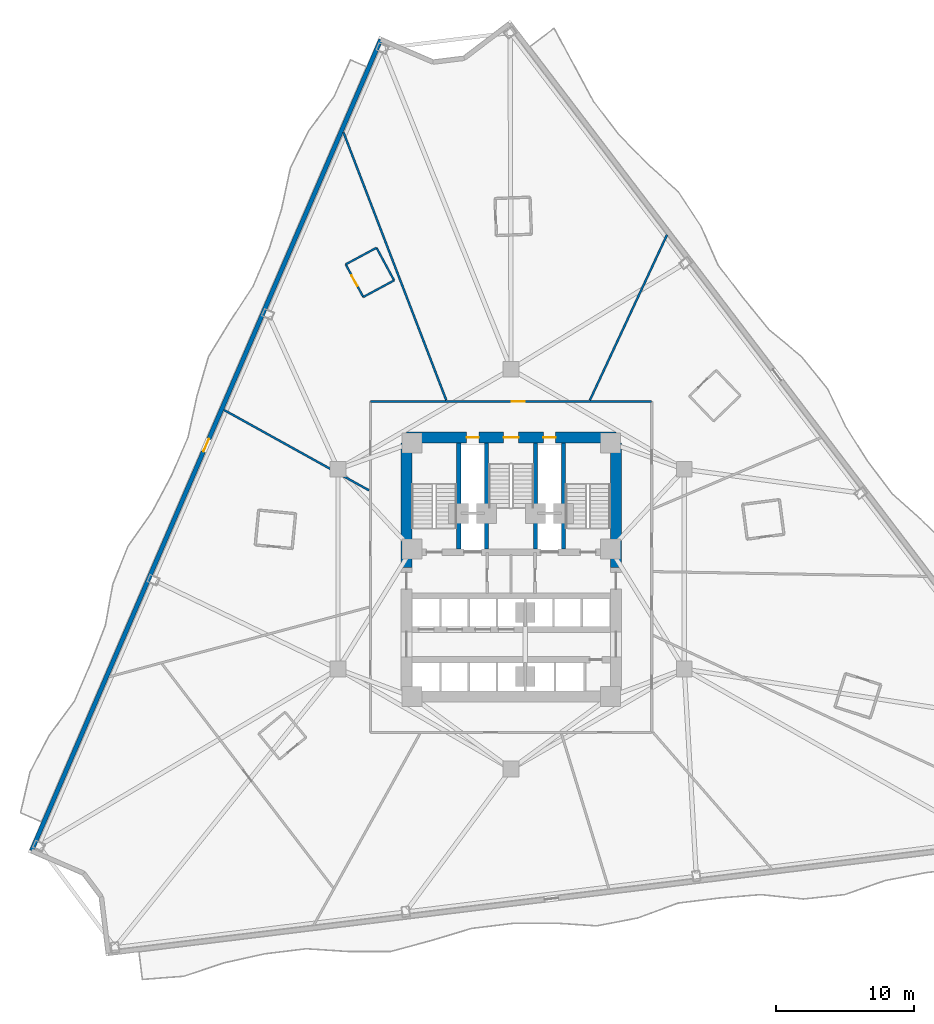
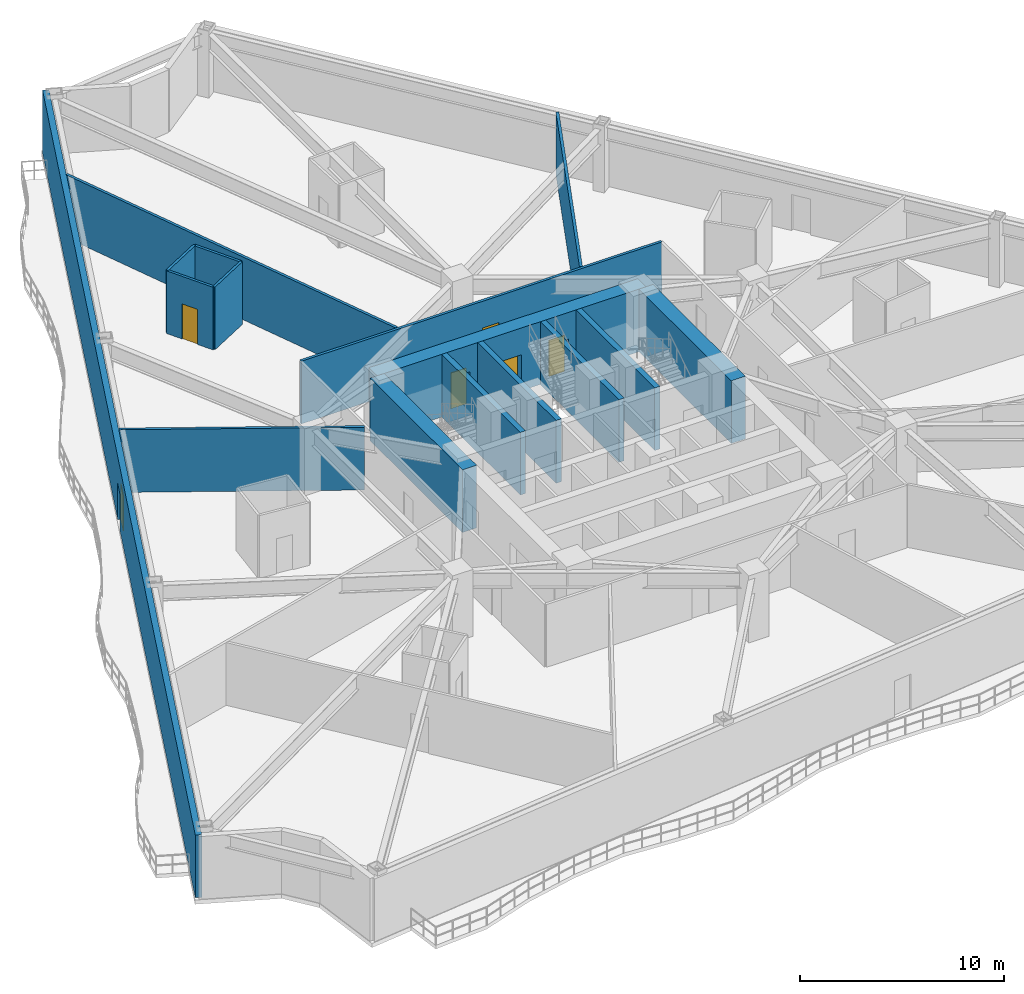
# One storey, part 6 of 13: 16 walls, 6 doors, 6 openings.
"""IFC4 building model written with IfcOpenShell, lengths in metres."""

from ifc_helpers import new_model, si_unit, direction, frame, frame_2d, origin, place, context, subcontext, project, spatial, rectangle, extrude, material, layer, layer_set, type_object, element, fill, save


model = new_model("IFC4")

# Units and contexts
model_context = context("Model", 3, precision=1e-05, world=origin(), true_north=direction((0.0, 1.0)))
body_context = subcontext(model_context, "Body", "Model", "MODEL_VIEW")
ifc_project = project(units=[si_unit("LENGTHUNIT", "METRE"), si_unit("AREAUNIT", "SQUARE_METRE"), si_unit("VOLUMEUNIT", "CUBIC_METRE"), si_unit("PLANEANGLEUNIT", "RADIAN"), si_unit("MASSUNIT", "GRAM", prefix="KILO")], contexts=[model_context])

# Site, building, storey
site_placement = place(None, origin())
site = spatial("IfcSite", under=ifc_project, at=site_placement, CompositionType="ELEMENT")
building_placement = place(site_placement, origin())
building = spatial("IfcBuilding", under=site, at=building_placement, Name="Apsidion Concourse Tower", CompositionType="ELEMENT")
storey_placement = place(building_placement, frame((0.0, 0.0, 67.0)))
storey = spatial("IfcBuildingStorey", under=building, at=storey_placement, Name="L14", CompositionType="ELEMENT", Elevation=67.0)

# Wall, opening, door
ifc_material_1 = material(Name="Precast concrete C40/50", Category="concrete")
ifc_layer_1 = layer(ifc_material_1, 0.320068359375)
ifc_layer_set_1 = layer_set([ifc_layer_1], Name="Precast concrete C40/50")
wall_type_1 = type_object("IfcWallType", Name="WL-EXT-320", PredefinedType="STANDARD", material=ifc_layer_set_1)
wall_1_placement = place(storey_placement, frame((-34.787353515625, -20.429443359375, 0.0), z_axis=(0.0, 0.0, 1.0), x_axis=(0.395418293843, 0.91850115563, 0.0)))
wall_1 = element("IfcWall", 1, at=wall_1_placement, inside=storey, type_object=wall_type_1, Name="L14 Precast Stone Facade Wall 09", PredefinedType="STANDARD", context=body_context, shape_type="SweptSolid", body=[
    extrude(rectangle(XDim=64.058349609375, YDim=0.320068359375, at=frame_2d((32.029296875, 0.0))), origin(), (0.0, 0.0, 1.0), 3.75),
])
opening_1_placement = place(wall_1_placement, frame((31.529296875, 0.0, 0.0)))
opening_1 = element("IfcOpeningElement", 2, at=opening_1_placement, cuts=wall_1, Name="Opening D-T1L", PredefinedType="OPENING", context=body_context, shape_type="SweptSolid", body=[
    extrude(rectangle(XDim=1.0, YDim=2.14990234375, at=frame_2d((0.5, 1.074951171875))), frame((0.0, 0.169921875, 0.0), z_axis=(0.0, -1.0, 0.0), x_axis=(1.0, 0.0, 0.0)), (0.0, 0.0, 1.0), 0.340087890625),
])
ifc_material_2 = material(Name="Anodised aluminium EN AW-6063 T6", Category="aluminium")
door_type_1 = type_object("IfcDoorType", Name="DR-TER-1022L", OperationType="SINGLE_SWING_LEFT", PredefinedType="DOOR", material=ifc_material_2)
door_1_placement = place(opening_1_placement, origin())
door_1 = element("IfcDoor", 3, at=door_1_placement, inside=storey, type_object=door_type_1, Name="L14 Balcony Access Door 1", OperationType="SINGLE_SWING_LEFT", OverallHeight=2.14990234375, OverallWidth=1.0, PredefinedType="DOOR", context=body_context, shape_type="SweptSolid", body=[
    extrude(rectangle(XDim=1.0, YDim=2.14990234375, at=frame_2d((0.5, 1.074951171875))), frame((0.0, 0.02490234375, 0.0), z_axis=(0.0, -1.0, 0.0), x_axis=(1.0, 0.0, 0.0)), (0.0, 0.0, 1.0), 0.050048828125),
])
fill(opening_1, door_1)

# Walls
ifc_material_3 = material(Name="Gypsum plasterboard partition")
ifc_layer_2 = layer(ifc_material_3, 0.139892578125)
ifc_layer_set_2 = layer_set([ifc_layer_2], Name="Gypsum plasterboard partition")
wall_type_2 = type_object("IfcWallType", Name="WL-INT-PAR-140", PredefinedType="PARTITIONING", material=ifc_layer_set_2)
wall_2_placement = place(storey_placement, frame((-8.48876953125, 20.944091796875, 0.0), z_axis=(0.0, 0.0, 1.0), x_axis=(-0.474126884087, 0.88045652805, 0.0)))
element("IfcWall", 4, at=wall_2_placement, inside=storey, type_object=wall_type_2, Name="L14 Interior Partition WL-L14-POD-ENS08-S1", PredefinedType="PARTITIONING", context=body_context, shape_type="SweptSolid", body=[
    extrude(rectangle(XDim=2.68994140625, YDim=0.139892578125, at=frame_2d((1.344970703125, 0.0))), origin(), (0.0, 0.0, 1.0), 3.75),
])
wall_3_placement = place(storey_placement, frame((-9.76416015625, 23.3125, 0.0), z_axis=(0.0, 0.0, 1.0), x_axis=(-0.880483445652, -0.474076894536, 0.0)))
element("IfcWall", 5, at=wall_3_placement, inside=storey, type_object=wall_type_2, Name="L14 Interior Partition WL-L14-POD-ENS08-S2", PredefinedType="PARTITIONING", context=body_context, shape_type="SweptSolid", body=[
    extrude(rectangle(XDim=2.539794921875, YDim=0.139892578125, at=frame_2d((1.27001953125, 0.0))), origin(), (0.0, 0.0, 1.0), 3.75),
])

# Wall, opening, door
wall_4_placement = place(storey_placement, frame((-12.00048828125, 22.1083984375, 0.0), z_axis=(0.0, 0.0, 1.0), x_axis=(0.474126884087, -0.88045652805, 0.0)))
wall_4 = element("IfcWall", 6, at=wall_4_placement, inside=storey, type_object=wall_type_2, Name="L14 Interior Partition WL-L14-POD-ENS08-S3", PredefinedType="PARTITIONING", context=body_context, shape_type="SweptSolid", body=[
    extrude(rectangle(XDim=2.68994140625, YDim=0.139892578125, at=frame_2d((1.344970703125, 0.0))), origin(), (0.0, 0.0, 1.0), 3.75),
])
opening_2_placement = place(wall_4_placement, frame((0.905029296875, 0.0, 0.0)))
opening_2 = element("IfcOpeningElement", 7, at=opening_2_placement, cuts=wall_4, Name="Opening D-03L", PredefinedType="OPENING", context=body_context, shape_type="SweptSolid", body=[
    extrude(rectangle(XDim=0.8798828125, YDim=2.10009765625, at=frame_2d((0.43994140625, 1.050048828125))), frame((0.0, 0.080078125, 0.0), z_axis=(0.0, -1.0, 0.0), x_axis=(1.0, 0.0, 0.0)), (0.0, 0.0, 1.0), 0.159912109375),
])
door_type_2 = type_object("IfcDoorType", Name="DR-INT-D03L", OperationType="SINGLE_SWING_LEFT", PredefinedType="DOOR", material=ifc_material_2)
door_2_placement = place(opening_2_placement, origin())
door_2 = element("IfcDoor", 8, at=door_2_placement, inside=storey, type_object=door_type_2, Name="L14 Guest En-Suite Bathroom Door ENS08", OperationType="SINGLE_SWING_LEFT", OverallHeight=2.10009765625, OverallWidth=0.8798828125, PredefinedType="DOOR", context=body_context, shape_type="SweptSolid", body=[
    extrude(rectangle(XDim=0.8798828125, YDim=2.10009765625, at=frame_2d((0.43994140625, 1.050048828125))), frame((0.0, 0.02490234375, 0.0), z_axis=(0.0, -1.0, 0.0), x_axis=(1.0, 0.0, 0.0)), (0.0, 0.0, 1.0), 0.050048828125),
])
fill(opening_2, door_2)

# Wall
wall_5_placement = place(storey_placement, frame((-10.72509765625, 19.739990234375, 0.0), z_axis=(0.0, 0.0, 1.0), x_axis=(0.880483445652, 0.474076894536, 0.0)))
element("IfcWall", 9, at=wall_5_placement, inside=storey, type_object=wall_type_2, Name="L14 Interior Partition WL-L14-POD-ENS08-S4", PredefinedType="PARTITIONING", context=body_context, shape_type="SweptSolid", body=[
    extrude(rectangle(XDim=2.539794921875, YDim=0.139892578125, at=frame_2d((1.27001953125, 0.0))), origin(), (0.0, 0.0, 1.0), 3.75),
])

# Wall, opening, door
ifc_layer_3 = layer(ifc_material_3, 0.14990234375)
ifc_layer_set_3 = layer_set([ifc_layer_3], Name="Gypsum plasterboard partition")
wall_type_3 = type_object("IfcWallType", Name="WL-INT-PAR-150", PredefinedType="PARTITIONING", material=ifc_layer_set_3)
wall_6_placement = place(storey_placement, frame((-10.199951171875, 12.14990234375, 0.0), z_axis=(0.0, 0.0, 1.0), x_axis=(1.0, 0.0, 0.0)))
wall_6 = element("IfcWall", 10, at=wall_6_placement, inside=storey, type_object=wall_type_3, Name="L14 Interior Partition WL-L14-CORR-01", PredefinedType="PARTITIONING", context=body_context, shape_type="SweptSolid", body=[
    extrude(rectangle(XDim=20.39990234375, YDim=0.14990234375, at=frame_2d((10.199951171875, 0.0))), origin(), (0.0, 0.0, 1.0), 3.75),
])
opening_3_placement = place(wall_6_placement, frame((10.23095703125, 0.0, 0.0)))
opening_3 = element("IfcOpeningElement", 11, at=opening_3_placement, cuts=wall_6, Name="Opening D-01R", PredefinedType="OPENING", context=body_context, shape_type="SweptSolid", body=[
    extrude(rectangle(XDim=0.949951171875, YDim=2.14990234375, at=frame_2d((0.47509765625, 1.074951171875))), frame((0.0, 0.0849609375, 0.0), z_axis=(0.0, -1.0, 0.0), x_axis=(1.0, 0.0, 0.0)), (0.0, 0.0, 1.0), 0.169921875),
])
ifc_material_4 = material(Name="Brushed stainless steel 316", Category="steel")
door_type_3 = type_object("IfcDoorType", Name="DR-INT-D01R", OperationType="SINGLE_SWING_RIGHT", PredefinedType="DOOR", material=ifc_material_4)
door_3_placement = place(opening_3_placement, origin())
door_3 = element("IfcDoor", 12, at=door_3_placement, inside=storey, type_object=door_type_3, Name="L14 Corridor Entry Door 08", OperationType="SINGLE_SWING_RIGHT", OverallHeight=2.14990234375, OverallWidth=0.949951171875, PredefinedType="DOOR", context=body_context, shape_type="SweptSolid", body=[
    extrude(rectangle(XDim=0.949951171875, YDim=2.14990234375, at=frame_2d((0.47509765625, 1.074951171875))), frame((0.0, 0.02490234375, 0.0), z_axis=(0.0, -1.0, 0.0), x_axis=(1.0, 0.0, 0.0)), (0.0, 0.0, 1.0), 0.050048828125),
])
fill(opening_3, door_3)

# Walls
wall_7_placement = place(storey_placement, frame((5.714599609375, 12.2548828125, 0.0), z_axis=(0.0, 0.0, 1.0), x_axis=(0.422623119821, 0.906305521661, 0.0)))
element("IfcWall", 13, at=wall_7_placement, inside=storey, type_object=wall_type_3, Name="L14 Interior Partition WL-L14-RAD-02-1", PredefinedType="PARTITIONING", context=body_context, shape_type="SweptSolid", body=[
    extrude(rectangle(XDim=13.246826171875, YDim=0.14990234375, at=frame_2d((6.62353515625, 0.0))), origin(), (0.0, 0.0, 1.0), 3.75),
])
wall_8_placement = place(storey_placement, frame((-4.704345703125, 12.2548828125, 0.0), z_axis=(0.0, 0.0, 1.0), x_axis=(-0.358362673057, 0.933582451934, 0.0)))
element("IfcWall", 14, at=wall_8_placement, inside=storey, type_object=wall_type_3, Name="L14 Interior Partition WL-L14-RAD-03-1", PredefinedType="PARTITIONING", context=body_context, shape_type="SweptSolid", body=[
    extrude(rectangle(XDim=20.810546875, YDim=0.14990234375, at=frame_2d((10.4052734375, 0.0))), origin(), (0.0, 0.0, 1.0), 3.75),
])
wall_9_placement = place(storey_placement, frame((-10.304931640625, 5.712158203125, 0.0), z_axis=(0.0, 0.0, 1.0), x_axis=(-0.87461523799, 0.484817682718, 0.0)))
element("IfcWall", 15, at=wall_9_placement, inside=storey, type_object=wall_type_3, Name="L14 Interior Partition WL-L14-RAD-04-1", PredefinedType="PARTITIONING", context=body_context, shape_type="SweptSolid", body=[
    extrude(rectangle(XDim=12.034912109375, YDim=0.14990234375, at=frame_2d((6.017578125, 0.0))), origin(), (0.0, 0.0, 1.0), 3.75),
])
ifc_material_5 = material(Name="Concrete C50/60", Category="concrete")
ifc_layer_4 = layer(ifc_material_5, 0.300048828125)
ifc_layer_set_4 = layer_set([ifc_layer_4], Name="Concrete C50/60")
wall_type_4 = type_object("IfcWallType", Name="WL-SH-300", PredefinedType="SHEAR", material=ifc_layer_set_4)
for number, where, z_axis, x_axis, name in (
    (16, (-3.800048828125, 1.449951171875, 0.0), (0.0, 0.0, 1.0), (0.0, 1.0, 0.0), "L14 Central Core Shear Wall V1"),
    (17, (-1.77490234375, 1.449951171875, 0.0), (0.0, 0.0, 1.0), (0.0, 1.0, 0.0), "L14 Central Core Shear Wall V2"),
    (18, (1.77490234375, 1.449951171875, 0.0), (0.0, 0.0, 1.0), (0.0, 1.0, 0.0), "L14 Central Core Shear Wall V3"),
    (19, (3.800048828125, 1.449951171875, 0.0), (0.0, 0.0, 1.0), (0.0, 1.0, 0.0), "L14 Central Core Shear Wall V4"),
):
    element("IfcWall", number, at=place(storey_placement, frame(where, z_axis=z_axis, x_axis=x_axis)), inside=storey, type_object=wall_type_4, Name=name, PredefinedType="SHEAR", context=body_context, shape_type="SweptSolid", body=[
        extrude(rectangle(XDim=7.699951171875, YDim=0.300048828125, at=frame_2d((3.85009765625, 0.0))), origin(), (0.0, 0.0, 1.0), 3.75),
    ])

# Wall, openings, doors
ifc_material_6 = material(Name="Concrete C60/75", Category="concrete")
ifc_layer_5 = layer(ifc_material_6, 0.800048828125)
ifc_layer_set_5 = layer_set([ifc_layer_5], Name="Concrete C60/75")
wall_type_5 = type_object("IfcWallType", Name="WL-SH-800", PredefinedType="SHEAR", material=ifc_layer_set_5)
wall_10_placement = place(storey_placement, frame((-7.60009765625, 9.550048828125, 0.0), z_axis=(0.0, 0.0, 1.0), x_axis=(1.0, 0.0, 0.0)))
wall_10 = element("IfcWall", 20, at=wall_10_placement, inside=storey, type_object=wall_type_5, Name="L14 Central Core Shear Wall N", PredefinedType="SHEAR", context=body_context, shape_type="SweptSolid", body=[
    extrude(rectangle(XDim=15.2001953125, YDim=0.800048828125, at=frame_2d((7.60009765625, 0.0))), origin(), (0.0, 0.0, 1.0), 3.75),
])
opening_4_placement = place(wall_10_placement, frame((7.050048828125, 0.0, 0.0)))
opening_4 = element("IfcOpeningElement", 21, at=opening_4_placement, cuts=wall_10, Name="Opening D-STL", PredefinedType="OPENING", context=body_context, shape_type="SweptSolid", body=[
    extrude(rectangle(XDim=1.10009765625, YDim=2.14990234375, at=frame_2d((0.550048828125, 1.074951171875))), frame((0.0, 0.41015625, 0.0), z_axis=(0.0, -1.0, 0.0), x_axis=(1.0, 0.0, 0.0)), (0.0, 0.0, 1.0), 0.820068359375),
])
opening_5_placement = place(wall_10_placement, frame((4.3798828125, 0.0, 0.0)))
opening_5 = element("IfcOpeningElement", 22, at=opening_5_placement, cuts=wall_10, Name="Opening D-05L", PredefinedType="OPENING", context=body_context, shape_type="SweptSolid", body=[
    extrude(rectangle(XDim=0.8798828125, YDim=2.14990234375, at=frame_2d((0.43994140625, 1.074951171875))), frame((0.0, 0.41015625, 0.0), z_axis=(0.0, -1.0, 0.0), x_axis=(1.0, 0.0, 0.0)), (0.0, 0.0, 1.0), 0.820068359375),
])
opening_6_placement = place(wall_10_placement, frame((9.93994140625, 0.0, 0.0)))
opening_6 = element("IfcOpeningElement", 23, at=opening_6_placement, cuts=wall_10, Name="Opening D-05R", PredefinedType="OPENING", context=body_context, shape_type="SweptSolid", body=[
    extrude(rectangle(XDim=0.8798828125, YDim=2.14990234375, at=frame_2d((0.43994140625, 1.074951171875))), frame((0.0, 0.41015625, 0.0), z_axis=(0.0, -1.0, 0.0), x_axis=(1.0, 0.0, 0.0)), (0.0, 0.0, 1.0), 0.820068359375),
])
door_type_4 = type_object("IfcDoorType", Name="DR-INT-D05L", OperationType="SINGLE_SWING_LEFT", PredefinedType="DOOR", material=ifc_material_4)
door_4_placement = place(opening_5_placement, origin())
door_4 = element("IfcDoor", 24, at=door_4_placement, inside=storey, type_object=door_type_4, Name="L14 Electrical Riser Shaft Access Door", OperationType="SINGLE_SWING_LEFT", OverallHeight=2.14990234375, OverallWidth=0.8798828125, PredefinedType="DOOR", context=body_context, shape_type="SweptSolid", body=[
    extrude(rectangle(XDim=0.8798828125, YDim=2.14990234375, at=frame_2d((0.43994140625, 1.074951171875))), frame((0.0, 0.02490234375, 0.0), z_axis=(0.0, -1.0, 0.0), x_axis=(1.0, 0.0, 0.0)), (0.0, 0.0, 1.0), 0.050048828125),
])
fill(opening_5, door_4)
door_type_5 = type_object("IfcDoorType", Name="DR-INT-D05R", OperationType="SINGLE_SWING_RIGHT", PredefinedType="DOOR", material=ifc_material_4)
door_5_placement = place(opening_6_placement, origin())
door_5 = element("IfcDoor", 25, at=door_5_placement, inside=storey, type_object=door_type_5, Name="L14 Mechanical Riser Shaft Access Door", OperationType="SINGLE_SWING_RIGHT", OverallHeight=2.14990234375, OverallWidth=0.8798828125, PredefinedType="DOOR", context=body_context, shape_type="SweptSolid", body=[
    extrude(rectangle(XDim=0.8798828125, YDim=2.14990234375, at=frame_2d((0.43994140625, 1.074951171875))), frame((0.0, 0.02490234375, 0.0), z_axis=(0.0, -1.0, 0.0), x_axis=(1.0, 0.0, 0.0)), (0.0, 0.0, 1.0), 0.050048828125),
])
fill(opening_6, door_5)
door_type_6 = type_object("IfcDoorType", Name="DR-INT-ST1L", OperationType="SINGLE_SWING_LEFT", PredefinedType="DOOR", material=ifc_material_4)
door_6_placement = place(opening_4_placement, origin())
door_6 = element("IfcDoor", 26, at=door_6_placement, inside=storey, type_object=door_type_6, Name="L14 Core Exit Stair ST3 Door", OperationType="SINGLE_SWING_LEFT", OverallHeight=2.14990234375, OverallWidth=1.10009765625, PredefinedType="DOOR", context=body_context, shape_type="SweptSolid", body=[
    extrude(rectangle(XDim=1.10009765625, YDim=2.14990234375, at=frame_2d((0.550048828125, 1.074951171875))), frame((0.0, 0.02490234375, 0.0), z_axis=(0.0, -1.0, 0.0), x_axis=(1.0, 0.0, 0.0)), (0.0, 0.0, 1.0), 0.050048828125),
])
fill(opening_4, door_6)

# Walls
for number, where, z_axis, x_axis, name in (
    (27, (-7.60009765625, 0.10009765625, 0.0), (0.0, 0.0, 1.0), (0.0, 1.0, 0.0), "L14 Central Core Shear Wall WN"),
    (28, (7.60009765625, 0.10009765625, 0.0), (0.0, 0.0, 1.0), (0.0, 1.0, 0.0), "L14 Central Core Shear Wall EN"),
):
    element("IfcWall", number, at=place(storey_placement, frame(where, z_axis=z_axis, x_axis=x_axis)), inside=storey, type_object=wall_type_5, Name=name, PredefinedType="SHEAR", context=body_context, shape_type="SweptSolid", body=[
        extrude(rectangle(XDim=9.0498046875, YDim=0.800048828125, at=frame_2d((4.52490234375, 0.0))), origin(), (0.0, 0.0, 1.0), 3.75),
    ])

save(model, "model.ifc")
